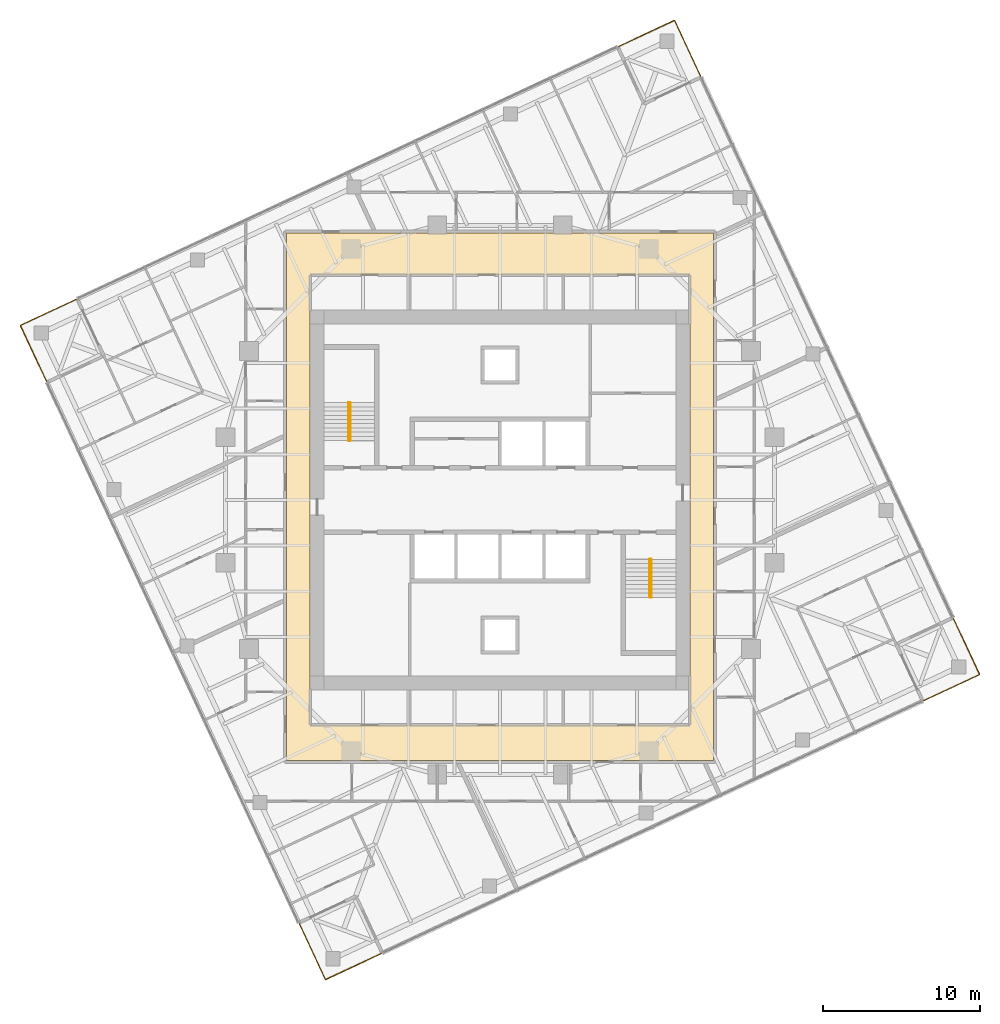
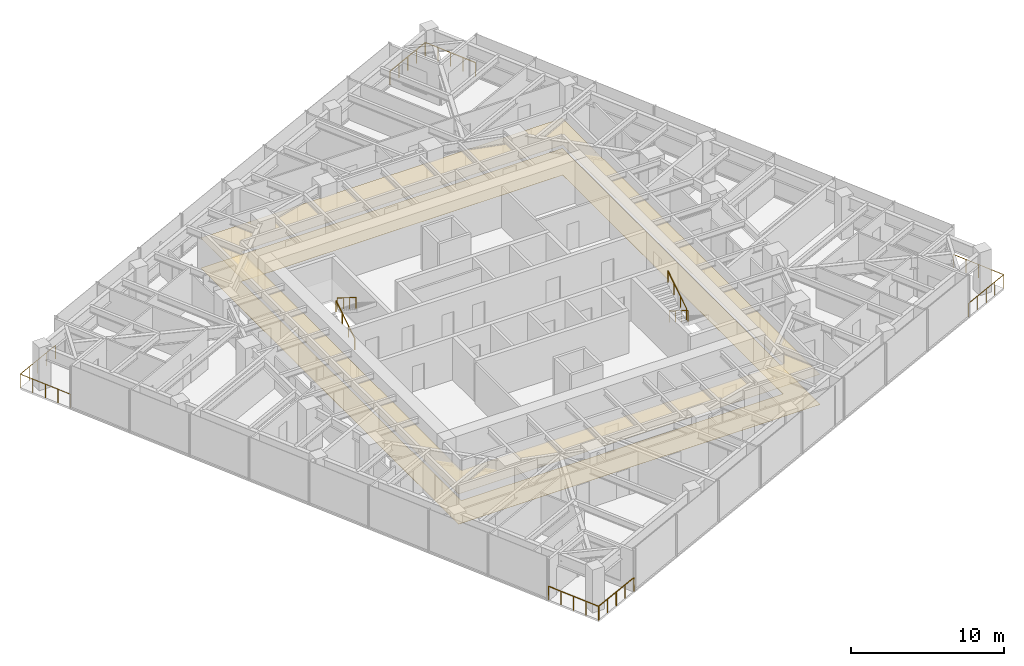
# One storey, part 12 of 12: 8 railings, 2 coverings, 2 elements without a shape of their own.
"""IFC4 building model written with IfcOpenShell, lengths in metres."""

from ifc_helpers import new_model, si_unit, direction, frame, origin, origin_2d, place, context, subcontext, project, spatial, polyline, circle, outline, extrude, material, layer, layer_set, type_object, element, aggregate, save


model = new_model("IFC4")

# Units and contexts
model_context = context("Model", 3, precision=1e-05, world=origin(), true_north=direction((0.0, 1.0)))
body_context = subcontext(model_context, "Body", "Model", "MODEL_VIEW")
ifc_project = project(units=[si_unit("LENGTHUNIT", "METRE"), si_unit("AREAUNIT", "SQUARE_METRE"), si_unit("VOLUMEUNIT", "CUBIC_METRE"), si_unit("PLANEANGLEUNIT", "RADIAN"), si_unit("MASSUNIT", "GRAM", prefix="KILO")], contexts=[model_context])

# Site, building, storey
site_placement = place(None, origin())
site = spatial("IfcSite", under=ifc_project, at=site_placement, CompositionType="ELEMENT")
building_placement = place(site_placement, origin())
building = spatial("IfcBuilding", under=site, at=building_placement, Name="Torsade Residences", CompositionType="ELEMENT")
storey_placement = place(building_placement, frame((0.0, 0.0, 193.0)))
storey = spatial("IfcBuildingStorey", under=building, at=storey_placement, Name="L53", CompositionType="ELEMENT", Elevation=193.0)

# Coverings
ifc_material_1 = material(Name="Nylon carpet tile on underlay", Category="textile")
ifc_layer_1 = layer(ifc_material_1, 0.010009765625)
ifc_layer_set_1 = layer_set([ifc_layer_1], Name="Nylon carpet tile on underlay")
covering_type_1 = type_object("IfcCoveringType", Name="CORRIDOR CARPET TILE 10", PredefinedType="FLOORING", material=ifc_layer_set_1)
covering_1_placement = place(storey_placement, origin())
element("IfcCovering", 1, at=covering_1_placement, inside=storey, type_object=covering_type_1, Name="Corridor carpet L53", PredefinedType="FLOORING", context=body_context, shape_type="SweptSolid", body=[
    extrude(outline(polyline([(26.39990234375, 47.0), (26.39990234375, 13.39990234375), (53.60009765625, 13.39990234375), (53.60009765625, 47.0), (26.39990234375, 47.0)]), holes=[polyline([(52.10009765625, 44.35009765625), (27.89990234375, 44.35009765625), (27.89990234375, 15.64990234375), (52.10009765625, 15.64990234375), (52.10009765625, 44.35009765625)])]), origin(), (0.0, 0.0, 1.0), 0.010009765625),
])
ifc_material_2 = material(Name="Plasterboard on suspended steel grid", Category="steel")
ifc_layer_2 = layer(ifc_material_2, 0.012939453125)
ifc_layer_set_2 = layer_set([ifc_layer_2], Name="Plasterboard on suspended steel grid")
covering_type_2 = type_object("IfcCoveringType", Name="CORRIDOR SUSPENDED CEILING 13", PredefinedType="CEILING", material=ifc_layer_set_2)
covering_2_placement = place(storey_placement, frame((0.0, 0.0, 2.39990234375)))
element("IfcCovering", 2, at=covering_2_placement, inside=storey, type_object=covering_type_2, Name="Corridor ceiling L53", PredefinedType="CEILING", context=body_context, shape_type="SweptSolid", body=[
    extrude(outline(polyline([(26.39990234375, 47.0), (26.39990234375, 13.39990234375), (53.60009765625, 13.39990234375), (53.60009765625, 47.0), (26.39990234375, 47.0)]), holes=[polyline([(52.10009765625, 44.35009765625), (27.89990234375, 44.35009765625), (27.89990234375, 15.64990234375), (52.10009765625, 15.64990234375), (52.10009765625, 44.35009765625)])]), origin(), (0.0, 0.0, 1.0), 0.01318359375),
])

# Stair, railings
ifc_material_3 = material(Name="Precast concrete 40 MPa", Category="concrete")
stair_type = type_object("IfcStairType", Name="HALF-TURN FIRE STAIR 1500x3400", PredefinedType="HALF_TURN_STAIR", material=ifc_material_3)
stair_1_placement = place(storey_placement, origin())
stair_1 = element("IfcStair", 3, at=stair_1_placement, inside=storey, type_object=stair_type, Name="Stair ST1 L53", PredefinedType="HALF_TURN_STAIR")
ifc_material_4 = material(Name="Steel handrail", Category="steel")
railing_type_1 = type_object("IfcRailingType", Name="STAIR HANDRAIL 900", PredefinedType="HANDRAIL", material=ifc_material_4)
railing_1_placement = place(storey_placement, frame((30.35009765625, 33.780029296875, 0.169921875)))
railing_1 = element("IfcRailing", 4, at=railing_1_placement, type_object=railing_type_1, Name="Handrail ST1 flight 1 L53", PredefinedType="HANDRAIL", context=body_context, shape_type="SweptSolid", body=[
    extrude(circle(Radius=0.02392578125, at=origin_2d()), frame((0.0, 0.0, 0.8759765625), z_axis=(0.0, 0.846221481393, 0.532831309544), x_axis=(-1.0, 0.0, 0.0)), (0.0, 0.0, 1.0), 2.87158203125),
    extrude(circle(Radius=0.02099609375, at=origin_2d()), origin(), (0.0, 0.0, 1.0), 0.851806640625),
    extrude(circle(Radius=0.02099609375, at=origin_2d()), frame((0.0, 0.81005859375, 0.510009765625)), (0.0, 0.0, 1.0), 0.851806640625),
    extrude(circle(Radius=0.02099609375, at=origin_2d()), frame((0.0, 1.619873046875, 1.02001953125)), (0.0, 0.0, 1.0), 0.851806640625),
    extrude(circle(Radius=0.02099609375, at=origin_2d()), frame((0.0, 2.429931640625, 1.530029296875)), (0.0, 0.0, 1.0), 0.851806640625),
])
railing_2_placement = place(storey_placement, frame((30.449951171875, 36.2099609375, 1.8701171875)))
railing_2 = element("IfcRailing", 5, at=railing_2_placement, type_object=railing_type_1, Name="Handrail ST1 flight 2 L53", PredefinedType="HANDRAIL", context=body_context, shape_type="SweptSolid", body=[
    extrude(circle(Radius=0.02392578125, at=origin_2d()), frame((0.0, 0.0, 0.8759765625), z_axis=(0.0, -0.846259816676, 0.532770422113), x_axis=(1.0, 0.0, 0.0)), (0.0, 0.0, 1.0), 2.871337890625),
    extrude(circle(Radius=0.02099609375, at=origin_2d()), origin(), (0.0, 0.0, 1.0), 0.851806640625),
    extrude(circle(Radius=0.02099609375, at=origin_2d()), frame((0.0, -0.81005859375, 0.510009765625)), (0.0, 0.0, 1.0), 0.851806640625),
    extrude(circle(Radius=0.02099609375, at=origin_2d()), frame((0.0, -1.619873046875, 1.019775390625)), (0.0, 0.0, 1.0), 0.851806640625),
    extrude(circle(Radius=0.02099609375, at=origin_2d()), frame((0.0, -2.429931640625, 1.52978515625)), (0.0, 0.0, 1.0), 0.851806640625),
])
aggregate(stair_1, [railing_1, railing_2])

stair_2_placement = place(storey_placement, origin())
stair_2 = element("IfcStair", 6, at=stair_2_placement, inside=storey, type_object=stair_type, Name="Stair ST2 L53", PredefinedType="HALF_TURN_STAIR")
railing_3_placement = place(storey_placement, frame((49.64990234375, 26.219970703125, 0.169921875)))
railing_3 = element("IfcRailing", 7, at=railing_3_placement, type_object=railing_type_1, Name="Handrail ST2 flight 1 L53", PredefinedType="HANDRAIL", context=body_context, shape_type="SweptSolid", body=[
    extrude(circle(Radius=0.02392578125, at=origin_2d()), frame((0.0, 0.0, 0.8759765625), z_axis=(0.0, -0.846221481393, 0.532831309544), x_axis=(1.0, 0.0, 0.0)), (0.0, 0.0, 1.0), 2.87158203125),
    extrude(circle(Radius=0.02099609375, at=origin_2d()), origin(), (0.0, 0.0, 1.0), 0.851806640625),
    extrude(circle(Radius=0.02099609375, at=origin_2d()), frame((0.0, -0.81005859375, 0.510009765625)), (0.0, 0.0, 1.0), 0.851806640625),
    extrude(circle(Radius=0.02099609375, at=origin_2d()), frame((0.0, -1.619873046875, 1.02001953125)), (0.0, 0.0, 1.0), 0.851806640625),
    extrude(circle(Radius=0.02099609375, at=origin_2d()), frame((0.0, -2.429931640625, 1.530029296875)), (0.0, 0.0, 1.0), 0.851806640625),
])
railing_4_placement = place(storey_placement, frame((49.550048828125, 23.7900390625, 1.8701171875)))
railing_4 = element("IfcRailing", 8, at=railing_4_placement, type_object=railing_type_1, Name="Handrail ST2 flight 2 L53", PredefinedType="HANDRAIL", context=body_context, shape_type="SweptSolid", body=[
    extrude(circle(Radius=0.02392578125, at=origin_2d()), frame((0.0, 0.0, 0.8759765625), z_axis=(0.0, 0.846259816676, 0.532770422113), x_axis=(-1.0, 0.0, 0.0)), (0.0, 0.0, 1.0), 2.871337890625),
    extrude(circle(Radius=0.02099609375, at=origin_2d()), origin(), (0.0, 0.0, 1.0), 0.851806640625),
    extrude(circle(Radius=0.02099609375, at=origin_2d()), frame((0.0, 0.81005859375, 0.510009765625)), (0.0, 0.0, 1.0), 0.851806640625),
    extrude(circle(Radius=0.02099609375, at=origin_2d()), frame((0.0, 1.619873046875, 1.019775390625)), (0.0, 0.0, 1.0), 0.851806640625),
    extrude(circle(Radius=0.02099609375, at=origin_2d()), frame((0.0, 2.429931640625, 1.52978515625)), (0.0, 0.0, 1.0), 0.851806640625),
])
aggregate(stair_2, [railing_3, railing_4])

# Railings
ifc_material_5 = material(Name="Laminated glass balustrade", Category="glass")
railing_type_2 = type_object("IfcRailingType", Name="TERRACE GLASS BALUSTRADE 1100", PredefinedType="BALUSTRADE", material=ifc_material_5)
railing_5_placement = place(storey_placement, frame((66.940185546875, 17.1845703125, 0.0)))
element("IfcRailing", 9, at=railing_5_placement, inside=storey, type_object=railing_type_2, Name="Terrace balustrade SE L53", PredefinedType="BALUSTRADE", context=body_context, shape_type="SweptSolid", body=[
    extrude(circle(Radius=0.02392578125, at=origin_2d()), frame((0.0, 0.0, 1.076171875), z_axis=(0.906278236866, 0.422681626502, 0.0), x_axis=(-0.422681626502, 0.906278236866, 0.0)), (0.0, 0.0, 1.0), 3.999755859375),
    extrude(circle(Radius=0.02392578125, at=origin_2d()), frame((3.625, 1.690673828125, 1.076171875), z_axis=(-0.422608113797, 0.906312519031, 0.0), x_axis=(-0.906312519031, -0.422608113797, 0.0)), (0.0, 0.0, 1.0), 4.0),
    extrude(circle(Radius=0.02099609375, at=origin_2d()), origin(), (0.0, 0.0, 1.0), 1.052001953125),
    extrude(circle(Radius=0.02099609375, at=origin_2d()), frame((0.90625, 0.422607421875, 0.0)), (0.0, 0.0, 1.0), 1.052001953125),
    extrude(circle(Radius=0.02099609375, at=origin_2d()), frame((1.8125, 0.84521484375, 0.0)), (0.0, 0.0, 1.0), 1.052001953125),
    extrude(circle(Radius=0.02099609375, at=origin_2d()), frame((2.71875, 1.26806640625, 0.0)), (0.0, 0.0, 1.0), 1.052001953125),
    extrude(circle(Radius=0.02099609375, at=origin_2d()), frame((3.625, 1.690673828125, 0.0)), (0.0, 0.0, 1.0), 1.052001953125),
    extrude(circle(Radius=0.02099609375, at=origin_2d()), frame((3.202392578125, 2.596923828125, 0.0)), (0.0, 0.0, 1.0), 1.052001953125),
    extrude(circle(Radius=0.02099609375, at=origin_2d()), frame((2.77978515625, 3.50341796875, 0.0)), (0.0, 0.0, 1.0), 1.052001953125),
    extrude(circle(Radius=0.02099609375, at=origin_2d()), frame((2.357177734375, 4.40966796875, 0.0)), (0.0, 0.0, 1.0), 1.052001953125),
    extrude(circle(Radius=0.02099609375, at=origin_2d()), frame((1.9345703125, 5.31591796875, 0.0)), (0.0, 0.0, 1.0), 1.052001953125),
])
railing_6_placement = place(storey_placement, frame((52.8154296875, 56.940185546875, 0.0)))
element("IfcRailing", 10, at=railing_6_placement, inside=storey, type_object=railing_type_2, Name="Terrace balustrade NE L53", PredefinedType="BALUSTRADE", context=body_context, shape_type="SweptSolid", body=[
    extrude(circle(Radius=0.02392578125, at=origin_2d()), frame((0.0, 0.0, 1.076171875), z_axis=(-0.422681626502, 0.906278236866, 0.0), x_axis=(-0.906278236866, -0.422681626502, 0.0)), (0.0, 0.0, 1.0), 3.999755859375),
    extrude(circle(Radius=0.02392578125, at=origin_2d()), frame((-1.690673828125, 3.625, 1.076171875), z_axis=(-0.906312519031, -0.422608113797, 0.0), x_axis=(0.422608113797, -0.906312519031, 0.0)), (0.0, 0.0, 1.0), 4.0),
    extrude(circle(Radius=0.02099609375, at=origin_2d()), origin(), (0.0, 0.0, 1.0), 1.052001953125),
    extrude(circle(Radius=0.02099609375, at=origin_2d()), frame((-0.422607421875, 0.90625, 0.0)), (0.0, 0.0, 1.0), 1.052001953125),
    extrude(circle(Radius=0.02099609375, at=origin_2d()), frame((-0.84521484375, 1.8125, 0.0)), (0.0, 0.0, 1.0), 1.052001953125),
    extrude(circle(Radius=0.02099609375, at=origin_2d()), frame((-1.26806640625, 2.71875, 0.0)), (0.0, 0.0, 1.0), 1.052001953125),
    extrude(circle(Radius=0.02099609375, at=origin_2d()), frame((-1.690673828125, 3.625, 0.0)), (0.0, 0.0, 1.0), 1.052001953125),
    extrude(circle(Radius=0.02099609375, at=origin_2d()), frame((-2.596923828125, 3.202392578125, 0.0)), (0.0, 0.0, 1.0), 1.052001953125),
    extrude(circle(Radius=0.02099609375, at=origin_2d()), frame((-3.50341796875, 2.77978515625, 0.0)), (0.0, 0.0, 1.0), 1.052001953125),
    extrude(circle(Radius=0.02099609375, at=origin_2d()), frame((-4.40966796875, 2.357177734375, 0.0)), (0.0, 0.0, 1.0), 1.052001953125),
    extrude(circle(Radius=0.02099609375, at=origin_2d()), frame((-5.31591796875, 1.9345703125, 0.0)), (0.0, 0.0, 1.0), 1.052001953125),
])
railing_7_placement = place(storey_placement, frame((13.059814453125, 42.8154296875, 0.0)))
element("IfcRailing", 11, at=railing_7_placement, inside=storey, type_object=railing_type_2, Name="Terrace balustrade NW L53", PredefinedType="BALUSTRADE", context=body_context, shape_type="SweptSolid", body=[
    extrude(circle(Radius=0.02392578125, at=origin_2d()), frame((0.0, 0.0, 1.076171875), z_axis=(-0.906278236866, -0.422681626502, 0.0), x_axis=(0.422681626502, -0.906278236866, 0.0)), (0.0, 0.0, 1.0), 3.999755859375),
    extrude(circle(Radius=0.02392578125, at=origin_2d()), frame((-3.625, -1.690673828125, 1.076171875), z_axis=(0.422608113797, -0.906312519031, 0.0), x_axis=(0.906312519031, 0.422608113797, 0.0)), (0.0, 0.0, 1.0), 4.0),
    extrude(circle(Radius=0.02099609375, at=origin_2d()), origin(), (0.0, 0.0, 1.0), 1.052001953125),
    extrude(circle(Radius=0.02099609375, at=origin_2d()), frame((-0.90625, -0.422607421875, 0.0)), (0.0, 0.0, 1.0), 1.052001953125),
    extrude(circle(Radius=0.02099609375, at=origin_2d()), frame((-1.8125, -0.84521484375, 0.0)), (0.0, 0.0, 1.0), 1.052001953125),
    extrude(circle(Radius=0.02099609375, at=origin_2d()), frame((-2.71875, -1.26806640625, 0.0)), (0.0, 0.0, 1.0), 1.052001953125),
    extrude(circle(Radius=0.02099609375, at=origin_2d()), frame((-3.625, -1.690673828125, 0.0)), (0.0, 0.0, 1.0), 1.052001953125),
    extrude(circle(Radius=0.02099609375, at=origin_2d()), frame((-3.202392578125, -2.596923828125, 0.0)), (0.0, 0.0, 1.0), 1.052001953125),
    extrude(circle(Radius=0.02099609375, at=origin_2d()), frame((-2.77978515625, -3.50341796875, 0.0)), (0.0, 0.0, 1.0), 1.052001953125),
    extrude(circle(Radius=0.02099609375, at=origin_2d()), frame((-2.357177734375, -4.40966796875, 0.0)), (0.0, 0.0, 1.0), 1.052001953125),
    extrude(circle(Radius=0.02099609375, at=origin_2d()), frame((-1.9345703125, -5.31591796875, 0.0)), (0.0, 0.0, 1.0), 1.052001953125),
])
railing_8_placement = place(storey_placement, frame((27.1845703125, 3.059814453125, 0.0)))
element("IfcRailing", 12, at=railing_8_placement, inside=storey, type_object=railing_type_2, Name="Terrace balustrade SW L53", PredefinedType="BALUSTRADE", context=body_context, shape_type="SweptSolid", body=[
    extrude(circle(Radius=0.02392578125, at=origin_2d()), frame((0.0, 0.0, 1.076171875), z_axis=(0.422681626502, -0.906278236866, 0.0), x_axis=(0.906278236866, 0.422681626502, 0.0)), (0.0, 0.0, 1.0), 3.999755859375),
    extrude(circle(Radius=0.02392578125, at=origin_2d()), frame((1.690673828125, -3.625, 1.076171875), z_axis=(0.906312519031, 0.422608113797, 0.0), x_axis=(-0.422608113797, 0.906312519031, 0.0)), (0.0, 0.0, 1.0), 4.0),
    extrude(circle(Radius=0.02099609375, at=origin_2d()), origin(), (0.0, 0.0, 1.0), 1.052001953125),
    extrude(circle(Radius=0.02099609375, at=origin_2d()), frame((0.422607421875, -0.90625, 0.0)), (0.0, 0.0, 1.0), 1.052001953125),
    extrude(circle(Radius=0.02099609375, at=origin_2d()), frame((0.84521484375, -1.8125, 0.0)), (0.0, 0.0, 1.0), 1.052001953125),
    extrude(circle(Radius=0.02099609375, at=origin_2d()), frame((1.26806640625, -2.71875, 0.0)), (0.0, 0.0, 1.0), 1.052001953125),
    extrude(circle(Radius=0.02099609375, at=origin_2d()), frame((1.690673828125, -3.625, 0.0)), (0.0, 0.0, 1.0), 1.052001953125),
    extrude(circle(Radius=0.02099609375, at=origin_2d()), frame((2.596923828125, -3.202392578125, 0.0)), (0.0, 0.0, 1.0), 1.052001953125),
    extrude(circle(Radius=0.02099609375, at=origin_2d()), frame((3.50341796875, -2.77978515625, 0.0)), (0.0, 0.0, 1.0), 1.052001953125),
    extrude(circle(Radius=0.02099609375, at=origin_2d()), frame((4.40966796875, -2.357177734375, 0.0)), (0.0, 0.0, 1.0), 1.052001953125),
    extrude(circle(Radius=0.02099609375, at=origin_2d()), frame((5.31591796875, -1.9345703125, 0.0)), (0.0, 0.0, 1.0), 1.052001953125),
])

save(model, "model.ifc")
